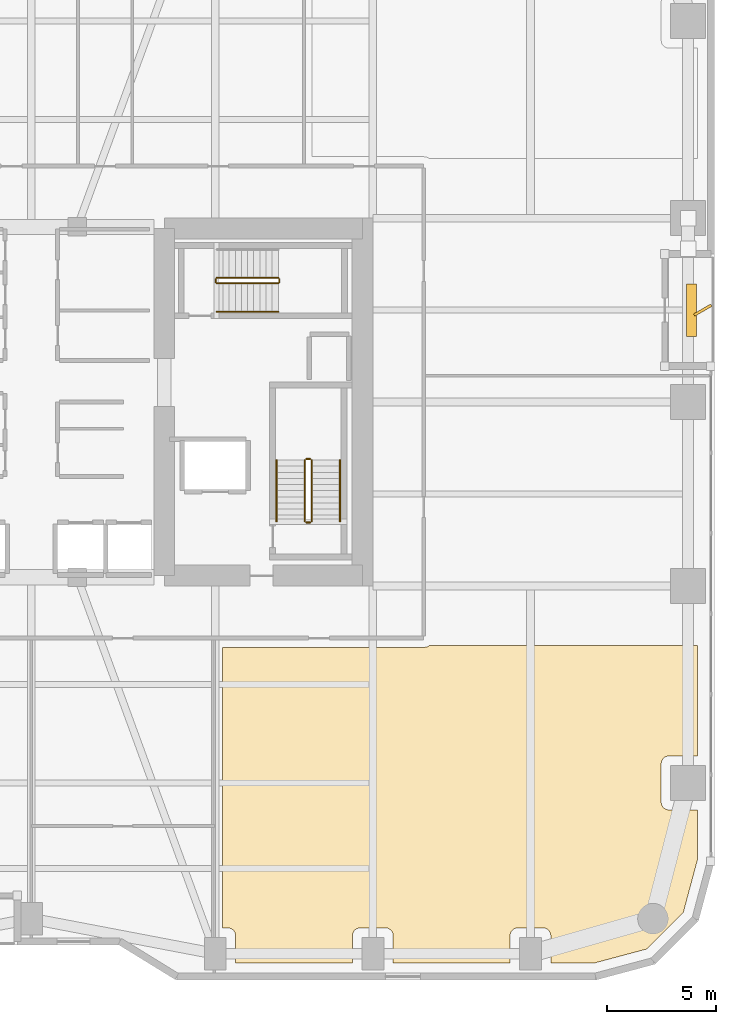
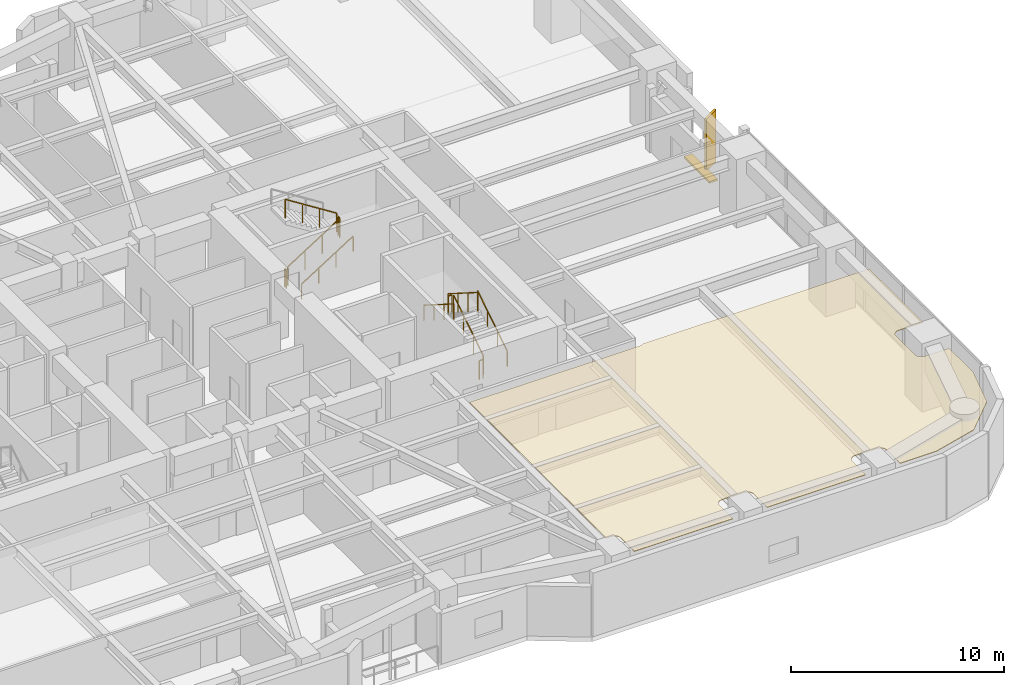
# One storey, part 27 of 28: 11 railings, 2 shading devices, 1 covering.
"""IFC4 building model written with IfcOpenShell, lengths in metres."""

from ifc_helpers import new_model, si_unit, direction, frame, origin, origin_2d, place, context, subcontext, project, spatial, polyline, rectangle, outline, extrude, material, layer, layer_set, type_object, element, save


model = new_model("IFC4")

# Units and contexts
model_context = context("Model", 3, precision=1e-05, world=origin(), true_north=direction((0.0, 1.0)))
body_context = subcontext(model_context, "Body", "Model", "MODEL_VIEW")
ifc_project = project(units=[si_unit("LENGTHUNIT", "METRE"), si_unit("AREAUNIT", "SQUARE_METRE"), si_unit("VOLUMEUNIT", "CUBIC_METRE"), si_unit("PLANEANGLEUNIT", "RADIAN"), si_unit("MASSUNIT", "GRAM", prefix="KILO")], contexts=[model_context])

# Site, building, storey
site_placement = place(None, origin())
site = spatial("IfcSite", under=ifc_project, at=site_placement, CompositionType="ELEMENT")
building_placement = place(site_placement, origin())
building = spatial("IfcBuilding", under=site, at=building_placement, Name="Kiyonajd Concourse Tower", CompositionType="ELEMENT")
storey_placement = place(building_placement, frame((0.0, 0.0, 37.199951171875)))
storey = spatial("IfcBuildingStorey", under=building, at=storey_placement, Name="L10", CompositionType="ELEMENT", Elevation=37.199951171875)

# Covering
ifc_material_1 = material(Name="Natural Oak Acoustic Timber Veneer", Category="wood")
ifc_layer = layer(ifc_material_1, 0.0400390625)
ifc_layer_set = layer_set([ifc_layer], Name="Natural Oak Acoustic Timber Veneer")
covering_type = type_object("IfcCoveringType", Name="CV-CLG-ACST", PredefinedType="CEILING", material=ifc_layer_set)
covering_placement = place(storey_placement, frame((0.0, 0.0, 3.4599609375)))
element("IfcCovering", 1, at=covering_placement, inside=storey, type_object=covering_type, Name="L10-46 Room Acoustic Ceiling", PredefinedType="CEILING", context=body_context, shape_type="SweptSolid", body=[
    extrude(outline(polyline([(56.72998046875, 11.97998046875), (56.72998046875, 24.7900390625), (65.925048828125, 24.7900390625), (66.054931640625, 24.81005859375), (66.117919921875, 24.8359375), (66.173095703125, 24.8701171875), (78.429931640625, 24.8701171875), (78.429931640625, 19.830078125), (77.1201171875, 19.830078125), (77.052001953125, 19.822998046875), (76.986083984375, 19.802978515625), (76.926025390625, 19.77099609375), (76.84912109375, 19.701904296875), (76.81103515625, 19.64501953125), (76.784912109375, 19.58203125), (76.77001953125, 19.47998046875), (76.77001953125, 17.719970703125), (76.784912109375, 17.617919921875), (76.81103515625, 17.554931640625), (76.84912109375, 17.498046875), (76.89794921875, 17.448974609375), (76.955078125, 17.410888671875), (77.01806640625, 17.385009765625), (77.0859375, 17.3720703125), (78.429931640625, 17.3701171875), (78.429931640625, 15.10107421875), (77.785888671875, 12.697998046875), (76.10205078125, 11.013916015625), (73.698974609375, 10.3701171875), (71.72998046875, 10.3701171875), (71.72802734375, 11.6640625), (71.715087890625, 11.73193359375), (71.68896484375, 11.794921875), (71.626953125, 11.876953125), (71.544921875, 11.93896484375), (71.48193359375, 11.965087890625), (71.4140625, 11.97802734375), (70.18603515625, 11.97802734375), (70.117919921875, 11.965087890625), (70.054931640625, 11.93896484375), (69.972900390625, 11.876953125), (69.910888671875, 11.794921875), (69.876953125, 11.697998046875), (69.8701171875, 11.6298828125), (69.8701171875, 10.3701171875), (64.530029296875, 10.3701171875), (64.528076171875, 11.6640625), (64.514892578125, 11.73193359375), (64.489013671875, 11.794921875), (64.427001953125, 11.876953125), (64.344970703125, 11.93896484375), (64.281982421875, 11.965087890625), (64.214111328125, 11.97802734375), (63.02001953125, 11.97998046875), (62.91796875, 11.965087890625), (62.85498046875, 11.93896484375), (62.798095703125, 11.90087890625), (62.7490234375, 11.85205078125), (62.7109375, 11.794921875), (62.677001953125, 11.697998046875), (62.669921875, 11.6298828125), (62.669921875, 10.3701171875), (57.330078125, 10.3701171875), (57.330078125, 11.6298828125), (57.322998046875, 11.697998046875), (57.302978515625, 11.763916015625), (57.27099609375, 11.823974609375), (57.22705078125, 11.876953125), (57.174072265625, 11.9208984375), (57.114013671875, 11.952880859375), (57.013916015625, 11.97802734375), (56.72998046875, 11.97998046875)])), origin(), (0.0, 0.0, 1.0), 0.0400390625),
])

# Railings
ifc_material_2 = material(Name="Steel ASTM A500 Grade C", Category="steel")
railing_type_1 = type_object("IfcRailingType", Name="RL-GRD-STR", PredefinedType="GUARDRAIL", material=ifc_material_2)
railing_1_placement = place(storey_placement, frame((60.800048828125, 30.550048828125, 0.17724609375)))
element("IfcRailing", 2, at=railing_1_placement, inside=storey, type_object=railing_type_1, Name="L10 ST2 stair guard 1", PredefinedType="GUARDRAIL", context=body_context, shape_type="SweptSolid", body=[
    extrude(rectangle(XDim=0.048095703125, YDim=0.048095703125, at=origin_2d()), frame((0.0, 0.0, 1.076171875), z_axis=(0.0, 0.844908973607, 0.534910110503), x_axis=(-1.0, 0.0, 0.0)), (0.0, 0.0, 1.0), 3.31396484375),
    extrude(rectangle(XDim=0.0419921875, YDim=0.0419921875, at=origin_2d()), origin(), (0.0, 0.0, 1.0), 1.052001953125),
    extrude(rectangle(XDim=0.0419921875, YDim=0.0419921875, at=origin_2d()), frame((0.0, 0.933349609375, 0.5908203125)), (0.0, 0.0, 1.0), 1.052001953125),
    extrude(rectangle(XDim=0.0419921875, YDim=0.0419921875, at=origin_2d()), frame((0.0, 1.86669921875, 1.181884765625)), (0.0, 0.0, 1.0), 1.052001953125),
    extrude(rectangle(XDim=0.0419921875, YDim=0.0419921875, at=origin_2d()), frame((0.0, 2.800048828125, 1.772705078125)), (0.0, 0.0, 1.0), 1.052001953125),
])
railing_2_placement = place(storey_placement, frame((60.75, 33.39990234375, 1.949951171875)))
element("IfcRailing", 3, at=railing_2_placement, inside=storey, type_object=railing_type_1, Name="L10 ST2 stair guard 2", PredefinedType="GUARDRAIL", context=body_context, shape_type="SweptSolid", body=[
    extrude(rectangle(XDim=0.048095703125, YDim=0.048095703125, at=origin_2d()), frame((0.0, 0.0, 1.076171875), z_axis=(-1.0, 0.0, 0.0), x_axis=(0.0, -1.0, 0.0)), (0.0, 0.0, 1.0), 0.199951171875),
    extrude(rectangle(XDim=0.0419921875, YDim=0.0419921875, at=origin_2d()), origin(), (0.0, 0.0, 1.0), 1.052001953125),
    extrude(rectangle(XDim=0.0419921875, YDim=0.0419921875, at=origin_2d()), frame((-0.199951171875, 0.0, 0.0)), (0.0, 0.0, 1.0), 1.052001953125),
])
railing_3_placement = place(storey_placement, frame((60.5, 33.35009765625, 2.12744140625)))
element("IfcRailing", 4, at=railing_3_placement, inside=storey, type_object=railing_type_1, Name="L10 ST2 stair guard 3", PredefinedType="GUARDRAIL", context=body_context, shape_type="SweptSolid", body=[
    extrude(rectangle(XDim=0.048095703125, YDim=0.048095703125, at=origin_2d()), frame((0.0, 0.0, 1.076171875), z_axis=(0.0, -0.844908973607, 0.534910110503), x_axis=(1.0, 0.0, 0.0)), (0.0, 0.0, 1.0), 3.31396484375),
    extrude(rectangle(XDim=0.0419921875, YDim=0.0419921875, at=origin_2d()), origin(), (0.0, 0.0, 1.0), 1.052001953125),
    extrude(rectangle(XDim=0.0419921875, YDim=0.0419921875, at=origin_2d()), frame((0.0, -0.933349609375, 0.5908203125)), (0.0, 0.0, 1.0), 1.052001953125),
    extrude(rectangle(XDim=0.0419921875, YDim=0.0419921875, at=origin_2d()), frame((0.0, -1.86669921875, 1.181884765625)), (0.0, 0.0, 1.0), 1.052001953125),
    extrude(rectangle(XDim=0.0419921875, YDim=0.0419921875, at=origin_2d()), frame((0.0, -2.800048828125, 1.772705078125)), (0.0, 0.0, 1.0), 1.052001953125),
])
railing_4_placement = place(storey_placement, frame((60.75, 30.5, 0.0)))
element("IfcRailing", 5, at=railing_4_placement, inside=storey, type_object=railing_type_1, Name="L10 ST2 stair guard 4", PredefinedType="GUARDRAIL", context=body_context, shape_type="SweptSolid", body=[
    extrude(rectangle(XDim=0.048095703125, YDim=0.048095703125, at=origin_2d()), frame((0.0, 0.0, 1.076171875), z_axis=(-1.0, 0.0, 0.0), x_axis=(0.0, -1.0, 0.0)), (0.0, 0.0, 1.0), 0.199951171875),
    extrude(rectangle(XDim=0.0419921875, YDim=0.0419921875, at=origin_2d()), origin(), (0.0, 0.0, 1.0), 1.052001953125),
    extrude(rectangle(XDim=0.0419921875, YDim=0.0419921875, at=origin_2d()), frame((-0.199951171875, 0.0, 0.0)), (0.0, 0.0, 1.0), 1.052001953125),
])
railing_5_placement = place(storey_placement, frame((56.47998046875, 41.429931640625, 0.17724609375)))
element("IfcRailing", 6, at=railing_5_placement, inside=storey, type_object=railing_type_1, Name="L10 ST3 stair guard 1", PredefinedType="GUARDRAIL", context=body_context, shape_type="SweptSolid", body=[
    extrude(rectangle(XDim=0.048095703125, YDim=0.048095703125, at=origin_2d()), frame((0.0, 0.0, 1.076171875), z_axis=(0.844908973607, 0.0, 0.534910110503), x_axis=(0.0, 1.0, 0.0)), (0.0, 0.0, 1.0), 3.31396484375),
    extrude(rectangle(XDim=0.0419921875, YDim=0.0419921875, at=origin_2d()), origin(), (0.0, 0.0, 1.0), 1.052001953125),
    extrude(rectangle(XDim=0.0419921875, YDim=0.0419921875, at=origin_2d()), frame((0.933349609375, 0.0, 0.5908203125)), (0.0, 0.0, 1.0), 1.052001953125),
    extrude(rectangle(XDim=0.0419921875, YDim=0.0419921875, at=origin_2d()), frame((1.86669921875, 0.0, 1.181884765625)), (0.0, 0.0, 1.0), 1.052001953125),
    extrude(rectangle(XDim=0.0419921875, YDim=0.0419921875, at=origin_2d()), frame((2.800048828125, 0.0, 1.772705078125)), (0.0, 0.0, 1.0), 1.052001953125),
])
railing_6_placement = place(storey_placement, frame((59.330078125, 41.47998046875, 1.949951171875)))
element("IfcRailing", 7, at=railing_6_placement, inside=storey, type_object=railing_type_1, Name="L10 ST3 stair guard 2", PredefinedType="GUARDRAIL", context=body_context, shape_type="SweptSolid", body=[
    extrude(rectangle(XDim=0.048095703125, YDim=0.048095703125, at=origin_2d()), frame((0.0, 0.0, 1.076171875), z_axis=(0.0, 1.0, 0.0), x_axis=(-1.0, 0.0, 0.0)), (0.0, 0.0, 1.0), 0.14013671875),
    extrude(rectangle(XDim=0.0419921875, YDim=0.0419921875, at=origin_2d()), origin(), (0.0, 0.0, 1.0), 1.052001953125),
    extrude(rectangle(XDim=0.0419921875, YDim=0.0419921875, at=origin_2d()), frame((0.0, 0.14013671875, 0.0)), (0.0, 0.0, 1.0), 1.052001953125),
])
railing_7_placement = place(storey_placement, frame((59.280029296875, 41.669921875, 2.12744140625)))
element("IfcRailing", 8, at=railing_7_placement, inside=storey, type_object=railing_type_1, Name="L10 ST3 stair guard 3", PredefinedType="GUARDRAIL", context=body_context, shape_type="SweptSolid", body=[
    extrude(rectangle(XDim=0.048095703125, YDim=0.048095703125, at=origin_2d()), frame((0.0, 0.0, 1.076171875), z_axis=(-0.844908973607, 0.0, 0.534910110503), x_axis=(0.0, -1.0, 0.0)), (0.0, 0.0, 1.0), 3.31396484375),
    extrude(rectangle(XDim=0.0419921875, YDim=0.0419921875, at=origin_2d()), origin(), (0.0, 0.0, 1.0), 1.052001953125),
    extrude(rectangle(XDim=0.0419921875, YDim=0.0419921875, at=origin_2d()), frame((-0.933349609375, 0.0, 0.5908203125)), (0.0, 0.0, 1.0), 1.052001953125),
    extrude(rectangle(XDim=0.0419921875, YDim=0.0419921875, at=origin_2d()), frame((-1.86669921875, 0.0, 1.181884765625)), (0.0, 0.0, 1.0), 1.052001953125),
    extrude(rectangle(XDim=0.0419921875, YDim=0.0419921875, at=origin_2d()), frame((-2.800048828125, 0.0, 1.772705078125)), (0.0, 0.0, 1.0), 1.052001953125),
])
railing_8_placement = place(storey_placement, frame((56.429931640625, 41.47998046875, 0.0)))
element("IfcRailing", 9, at=railing_8_placement, inside=storey, type_object=railing_type_1, Name="L10 ST3 stair guard 4", PredefinedType="GUARDRAIL", context=body_context, shape_type="SweptSolid", body=[
    extrude(rectangle(XDim=0.048095703125, YDim=0.048095703125, at=origin_2d()), frame((0.0, 0.0, 1.076171875), z_axis=(0.0, 1.0, 0.0), x_axis=(-1.0, 0.0, 0.0)), (0.0, 0.0, 1.0), 0.14013671875),
    extrude(rectangle(XDim=0.0419921875, YDim=0.0419921875, at=origin_2d()), origin(), (0.0, 0.0, 1.0), 1.052001953125),
    extrude(rectangle(XDim=0.0419921875, YDim=0.0419921875, at=origin_2d()), frame((0.0, 0.14013671875, 0.0)), (0.0, 0.0, 1.0), 1.052001953125),
])
ifc_material_3 = material(Name="Brushed Stainless Steel Cab Assembly", Category="steel")
railing_type_2 = type_object("IfcRailingType", Name="RL-HND-900", PredefinedType="HANDRAIL", material=ifc_material_3)
railing_9_placement = place(storey_placement, frame((62.10009765625, 30.550048828125, 0.17724609375)))
element("IfcRailing", 10, at=railing_9_placement, inside=storey, type_object=railing_type_2, Name="L10 ST2 stair handrail 1", PredefinedType="HANDRAIL", context=body_context, shape_type="SweptSolid", body=[
    extrude(rectangle(XDim=0.048095703125, YDim=0.048095703125, at=origin_2d()), frame((0.0, 0.0, 0.8759765625), z_axis=(0.0, 0.844908973607, 0.534910110503), x_axis=(-1.0, 0.0, 0.0)), (0.0, 0.0, 1.0), 3.31396484375),
    extrude(rectangle(XDim=0.0419921875, YDim=0.0419921875, at=origin_2d()), origin(), (0.0, 0.0, 1.0), 0.851806640625),
    extrude(rectangle(XDim=0.0419921875, YDim=0.0419921875, at=origin_2d()), frame((0.0, 0.933349609375, 0.5908203125)), (0.0, 0.0, 1.0), 0.851806640625),
    extrude(rectangle(XDim=0.0419921875, YDim=0.0419921875, at=origin_2d()), frame((0.0, 1.86669921875, 1.181884765625)), (0.0, 0.0, 1.0), 0.851806640625),
    extrude(rectangle(XDim=0.0419921875, YDim=0.0419921875, at=origin_2d()), frame((0.0, 2.800048828125, 1.772705078125)), (0.0, 0.0, 1.0), 0.851806640625),
])
railing_10_placement = place(storey_placement, frame((59.199951171875, 33.35009765625, 2.12744140625)))
element("IfcRailing", 11, at=railing_10_placement, inside=storey, type_object=railing_type_2, Name="L10 ST2 stair handrail 2", PredefinedType="HANDRAIL", context=body_context, shape_type="SweptSolid", body=[
    extrude(rectangle(XDim=0.048095703125, YDim=0.048095703125, at=origin_2d()), frame((0.0, 0.0, 0.8759765625), z_axis=(0.0, -0.844908973607, 0.534910110503), x_axis=(1.0, 0.0, 0.0)), (0.0, 0.0, 1.0), 3.31396484375),
    extrude(rectangle(XDim=0.0419921875, YDim=0.0419921875, at=origin_2d()), origin(), (0.0, 0.0, 1.0), 0.851806640625),
    extrude(rectangle(XDim=0.0419921875, YDim=0.0419921875, at=origin_2d()), frame((0.0, -0.933349609375, 0.5908203125)), (0.0, 0.0, 1.0), 0.851806640625),
    extrude(rectangle(XDim=0.0419921875, YDim=0.0419921875, at=origin_2d()), frame((0.0, -1.86669921875, 1.181884765625)), (0.0, 0.0, 1.0), 0.851806640625),
    extrude(rectangle(XDim=0.0419921875, YDim=0.0419921875, at=origin_2d()), frame((0.0, -2.800048828125, 1.772705078125)), (0.0, 0.0, 1.0), 0.851806640625),
])
railing_11_placement = place(storey_placement, frame((56.47998046875, 40.1298828125, 0.17724609375)))
element("IfcRailing", 12, at=railing_11_placement, inside=storey, type_object=railing_type_2, Name="L10 ST3 stair handrail 1", PredefinedType="HANDRAIL", context=body_context, shape_type="SweptSolid", body=[
    extrude(rectangle(XDim=0.048095703125, YDim=0.048095703125, at=origin_2d()), frame((0.0, 0.0, 0.8759765625), z_axis=(0.844908973607, 0.0, 0.534910110503), x_axis=(0.0, 1.0, 0.0)), (0.0, 0.0, 1.0), 3.31396484375),
    extrude(rectangle(XDim=0.0419921875, YDim=0.0419921875, at=origin_2d()), origin(), (0.0, 0.0, 1.0), 0.851806640625),
    extrude(rectangle(XDim=0.0419921875, YDim=0.0419921875, at=origin_2d()), frame((0.933349609375, 0.0, 0.5908203125)), (0.0, 0.0, 1.0), 0.851806640625),
    extrude(rectangle(XDim=0.0419921875, YDim=0.0419921875, at=origin_2d()), frame((1.86669921875, 0.0, 1.181884765625)), (0.0, 0.0, 1.0), 0.851806640625),
    extrude(rectangle(XDim=0.0419921875, YDim=0.0419921875, at=origin_2d()), frame((2.800048828125, 0.0, 1.772705078125)), (0.0, 0.0, 1.0), 0.851806640625),
])

# Shading devices
ifc_material_4 = material(Name="Precast concrete C50/60", Category="concrete")
shading_device_type_1 = type_object("IfcShadingDeviceType", Name="SH-FIN-900", PredefinedType="USERDEFINED", material=ifc_material_4)
shading_device_1_placement = place(storey_placement, frame((78.669921875, 40.199951171875, 0.0), z_axis=(0.0, 0.0, 1.0), x_axis=(0.866025403784, 0.5, 0.0)))
element("IfcShadingDevice", 13, at=shading_device_1_placement, inside=storey, type_object=shading_device_type_1, Name="L10 Angled Koshi Solar Fin LOG-E", ObjectType="FIN", PredefinedType="USERDEFINED", context=body_context, shape_type="SweptSolid", body=[
    extrude(rectangle(XDim=0.89990234375, YDim=0.1201171875, at=origin_2d()), origin(), (0.0, 0.0, 1.0), 3.0),
])
ifc_material_5 = material(Name="Thermally Broken Anodised Aluminium", Category="aluminium")
shading_device_type_2 = type_object("IfcShadingDeviceType", Name="SH-LVR-600", PredefinedType="JALOUSIE", material=ifc_material_5)
shading_device_2_placement = place(storey_placement, frame((78.14990234375, 40.199951171875, 0.0), z_axis=(0.0, 0.0, 1.0), x_axis=(0.0, 1.0, 0.0)))
element("IfcShadingDevice", 14, at=shading_device_2_placement, inside=storey, type_object=shading_device_type_2, Name="L10 Loggia Threshold Louver LOG-E", PredefinedType="JALOUSIE", context=body_context, shape_type="SweptSolid", body=[
    extrude(rectangle(XDim=2.39990234375, YDim=0.449951171875, at=origin_2d()), origin(), (0.0, 0.0, 1.0), 0.10009765625),
])

save(model, "model.ifc")
